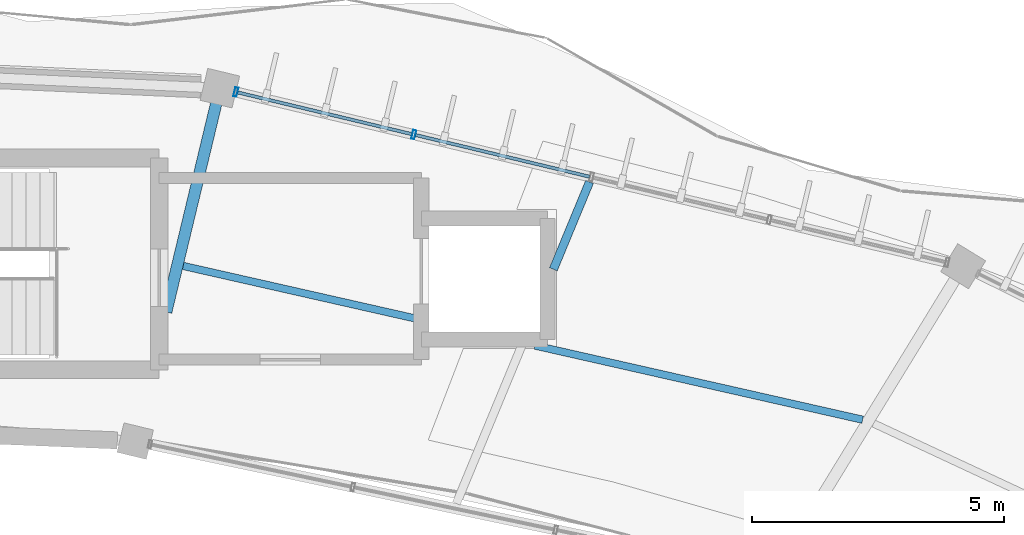
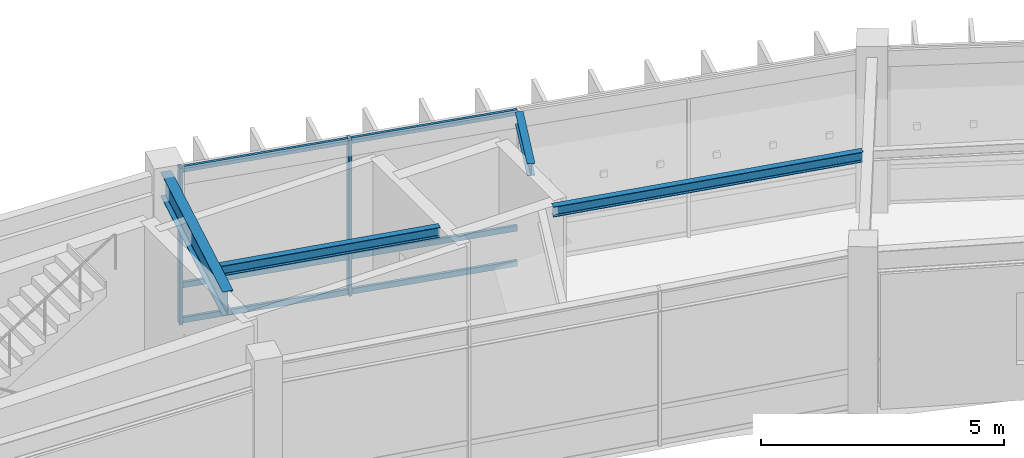
# One storey, part 67 of 114: 8 members, 4 beams, 1 element without a shape of its own.
"""IFC4 building model written with IfcOpenShell, lengths in metres."""

from ifc_helpers import new_model, si_unit, direction, frame, origin, origin_2d, place, context, subcontext, project, spatial, hollow_rectangle, i_section, extrude, material, material_profile, profile_set, type_object, element, aggregate, save


model = new_model("IFC4")

# Units and contexts
model_context = context("Model", 3, precision=1e-05, world=origin(), true_north=direction((0.0, 1.0)))
body_context = subcontext(model_context, "Body", "Model", "MODEL_VIEW")
ifc_project = project(units=[si_unit("LENGTHUNIT", "METRE"), si_unit("AREAUNIT", "SQUARE_METRE"), si_unit("VOLUMEUNIT", "CUBIC_METRE"), si_unit("PLANEANGLEUNIT", "RADIAN"), si_unit("MASSUNIT", "GRAM", prefix="KILO"), si_unit("THERMODYNAMICTEMPERATUREUNIT", "KELVIN"), si_unit("POWERUNIT", "WATT")], contexts=[model_context])

# Site, building, storey
site_placement = place(None, origin())
site = spatial("IfcSite", under=ifc_project, at=site_placement, CompositionType="ELEMENT")
building_placement = place(site_placement, origin())
building = spatial("IfcBuilding", under=site, at=building_placement, Name="Darbajah Civic Hall", CompositionType="ELEMENT")
storey_placement = place(building_placement, frame((0.0, 0.0, 13.800048828125)))
storey = spatial("IfcBuildingStorey", under=building, at=storey_placement, Name="L03", CompositionType="ELEMENT", Elevation=13.800048828125)

# Curtain wall, members
ifc_material_1 = material(Name="Anodised Bronze Aluminium and Low-E Glazing", Category="aluminium")
curtain_wall_type = type_object("IfcCurtainWallType", Name="Unitised Curtain Wall CW-40 14500x3900", PredefinedType="USERDEFINED", material=ifc_material_1)
curtain_wall_placement = place(storey_placement, origin())
curtain_wall = element("IfcCurtainWall", 1, at=curtain_wall_placement, inside=storey, type_object=curtain_wall_type, Name="L03 unitised curtain wall CW-V1O-L03-03", ObjectType="UNITISED CURTAIN WALL", PredefinedType="USERDEFINED")
ifc_material_2 = material(Name="Anodised Bronze Aluminium", Category="aluminium")
ifc_material_profile_1 = material_profile(ifc_material_2, hollow_rectangle(XDim=0.06494140625, YDim=0.179931640625, WallThickness=0.00390625, at=origin_2d()), Name="ALU MULLION 65x180")
ifc_profile_set_1 = profile_set([ifc_material_profile_1], Name="Anodised Bronze Aluminium")
member_type_1 = type_object("IfcMemberType", Name="ALU MULLION 65x180", PredefinedType="MULLION", material=ifc_profile_set_1)
member_1_placement = place(storey_placement, frame((104.85009765625, 117.563720703125, 0.0), z_axis=(0.0, 0.0, 1.0), x_axis=(-0.972492018808, 0.232936200179, 0.0)))
member_1 = element("IfcMember", 2, at=member_1_placement, type_object=member_type_1, Name="CW-V1O-L03-03 mullion 4", PredefinedType="MULLION", context=body_context, shape_type="SweptSolid", body=[
    extrude(hollow_rectangle(XDim=0.06494140625, YDim=0.179931640625, WallThickness=0.00390625, at=origin_2d()), origin(), (0.0, 0.0, 1.0), 3.919921875),
])
member_2_placement = place(storey_placement, frame((101.32373046875, 118.40869140625, 0.0), z_axis=(0.0, 0.0, 1.0), x_axis=(-0.972492018808, 0.232936200179, 0.0)))
member_2 = element("IfcMember", 3, at=member_2_placement, type_object=member_type_1, Name="CW-V1O-L03-03 mullion 5", PredefinedType="MULLION", context=body_context, shape_type="SweptSolid", body=[
    extrude(hollow_rectangle(XDim=0.06494140625, YDim=0.179931640625, WallThickness=0.00390625, at=origin_2d()), origin(), (0.0, 0.0, 1.0), 3.919921875),
])
ifc_material_profile_2 = material_profile(ifc_material_2, hollow_rectangle(XDim=0.06494140625, YDim=0.139892578125, WallThickness=0.00341796875, at=origin_2d()), Name="ALU TRANSOM 65x140")
ifc_profile_set_2 = profile_set([ifc_material_profile_2], Name="Anodised Bronze Aluminium")
member_type_2 = type_object("IfcMemberType", Name="ALU TRANSOM 65x140", PredefinedType="USERDEFINED", material=ifc_profile_set_2)
member_3_placement = place(storey_placement, frame((108.340087890625, 116.7275390625, 0.070068359375), z_axis=(-0.972462137945, 0.23306091535, 0.0), x_axis=(-0.23306091535, -0.972462137945, 0.0)))
member_3 = element("IfcMember", 4, at=member_3_placement, type_object=member_type_2, Name="CW-V1O-L03-03 transom 3.1", ObjectType="TRANSOM", PredefinedType="USERDEFINED", context=body_context, shape_type="SweptSolid", body=[
    extrude(hollow_rectangle(XDim=0.06494140625, YDim=0.139892578125, WallThickness=0.00341796875, at=origin_2d()), origin(), (0.0, 0.0, 1.0), 3.55126953125),
])
member_4_placement = place(storey_placement, frame((108.340087890625, 116.7275390625, 0.949951171875), z_axis=(-0.972462137945, 0.23306091535, 0.0), x_axis=(-0.23306091535, -0.972462137945, 0.0)))
member_4 = element("IfcMember", 5, at=member_4_placement, type_object=member_type_2, Name="CW-V1O-L03-03 transom 3.2", ObjectType="TRANSOM", PredefinedType="USERDEFINED", context=body_context, shape_type="SweptSolid", body=[
    extrude(hollow_rectangle(XDim=0.06494140625, YDim=0.139892578125, WallThickness=0.00341796875, at=origin_2d()), origin(), (0.0, 0.0, 1.0), 3.55126953125),
])
member_5_placement = place(storey_placement, frame((108.340087890625, 116.7275390625, 3.849853515625), z_axis=(-0.972462137945, 0.23306091535, 0.0), x_axis=(-0.23306091535, -0.972462137945, 0.0)))
member_5 = element("IfcMember", 6, at=member_5_placement, type_object=member_type_2, Name="CW-V1O-L03-03 transom 3.3", ObjectType="TRANSOM", PredefinedType="USERDEFINED", context=body_context, shape_type="SweptSolid", body=[
    extrude(hollow_rectangle(XDim=0.06494140625, YDim=0.139892578125, WallThickness=0.00341796875, at=origin_2d()), origin(), (0.0, 0.0, 1.0), 3.55126953125),
])
member_6_placement = place(storey_placement, frame((104.813720703125, 117.572509765625, 0.070068359375), z_axis=(-0.972481449513, 0.232980321815, 0.0), x_axis=(-0.232980321815, -0.972481449513, 0.0)))
member_6 = element("IfcMember", 7, at=member_6_placement, type_object=member_type_2, Name="CW-V1O-L03-03 transom 4.1", ObjectType="TRANSOM", PredefinedType="USERDEFINED", context=body_context, shape_type="SweptSolid", body=[
    extrude(hollow_rectangle(XDim=0.06494140625, YDim=0.139892578125, WallThickness=0.00341796875, at=origin_2d()), origin(), (0.0, 0.0, 1.0), 3.55126953125),
])
member_7_placement = place(storey_placement, frame((104.813720703125, 117.572509765625, 0.949951171875), z_axis=(-0.972481449513, 0.232980321815, 0.0), x_axis=(-0.232980321815, -0.972481449513, 0.0)))
member_7 = element("IfcMember", 8, at=member_7_placement, type_object=member_type_2, Name="CW-V1O-L03-03 transom 4.2", ObjectType="TRANSOM", PredefinedType="USERDEFINED", context=body_context, shape_type="SweptSolid", body=[
    extrude(hollow_rectangle(XDim=0.06494140625, YDim=0.139892578125, WallThickness=0.00341796875, at=origin_2d()), origin(), (0.0, 0.0, 1.0), 3.55126953125),
])
member_8_placement = place(storey_placement, frame((104.813720703125, 117.572509765625, 3.849853515625), z_axis=(-0.972481449513, 0.232980321815, 0.0), x_axis=(-0.232980321815, -0.972481449513, 0.0)))
member_8 = element("IfcMember", 9, at=member_8_placement, type_object=member_type_2, Name="CW-V1O-L03-03 transom 4.3", ObjectType="TRANSOM", PredefinedType="USERDEFINED", context=body_context, shape_type="SweptSolid", body=[
    extrude(hollow_rectangle(XDim=0.06494140625, YDim=0.139892578125, WallThickness=0.00341796875, at=origin_2d()), origin(), (0.0, 0.0, 1.0), 3.55126953125),
])
aggregate(curtain_wall, [member_1, member_2, member_3, member_4, member_5, member_6, member_7, member_8])

# Beams
ifc_material_3 = material(Name="Steel S355JR", Category="steel")
ifc_material_profile_3 = material_profile(ifc_material_3, i_section(OverallWidth=0.146484375, OverallDepth=0.256103515625, WebThickness=0.00634765625, FlangeThickness=0.010986328125, FilletRadius=0.007568359375, at=origin_2d()), Name="UB 254x146x37")
ifc_profile_set_3 = profile_set([ifc_material_profile_3], Name="Steel S355JR")
beam_type_1 = type_object("IfcBeamType", Name="UB 254x146x37", PredefinedType="JOIST", material=ifc_profile_set_3)
beam_1_placement = place(storey_placement, frame((113.75341796875, 111.908935546875, 3.7919921875), z_axis=(-0.975333988731, 0.220734252953, 0.0), x_axis=(-0.220734252953, -0.975333988731, 0.0)))
element("IfcBeam", 10, at=beam_1_placement, inside=storey, type_object=beam_type_1, Name="L03 beam SJ-254", PredefinedType="JOIST", context=body_context, shape_type="SweptSolid", body=[
    extrude(i_section(OverallWidth=0.146484375, OverallDepth=0.256103515625, WebThickness=0.00634765625, FlangeThickness=0.010986328125, FilletRadius=0.007568359375, at=origin_2d()), origin(), (0.0, 0.0, 1.0), 6.663818359375),
])
beam_2_placement = place(storey_placement, frame((104.8798828125, 113.917236328125, 3.7919921875), z_axis=(-0.97532969835, 0.220753209527, 0.0), x_axis=(-0.220753209527, -0.97532969835, 0.0)))
element("IfcBeam", 11, at=beam_2_placement, inside=storey, type_object=beam_type_1, Name="L03 beam SJ-254", PredefinedType="JOIST", context=body_context, shape_type="SweptSolid", body=[
    extrude(i_section(OverallWidth=0.146484375, OverallDepth=0.256103515625, WebThickness=0.00634765625, FlangeThickness=0.010986328125, FilletRadius=0.007568359375, at=origin_2d()), origin(), (0.0, 0.0, 1.0), 4.718017578125),
])
ifc_material_profile_4 = material_profile(ifc_material_3, i_section(OverallWidth=0.165771484375, OverallDepth=0.306640625, WebThickness=0.006591796875, FlangeThickness=0.01171875, FilletRadius=0.0087890625, at=origin_2d()), Name="UB 305x165x46")
ifc_profile_set_4 = profile_set([ifc_material_profile_4], Name="Steel S355JR")
beam_type_2 = type_object("IfcBeamType", Name="UB 305x165x46", PredefinedType="JOIST", material=ifc_profile_set_4)
beam_3_placement = place(storey_placement, frame((107.6201171875, 114.892578125, 3.7666015625), z_axis=(0.382589483091, 0.923918441978, 0.0), x_axis=(-0.923918441978, 0.382589483091, 0.0)))
element("IfcBeam", 12, at=beam_3_placement, inside=storey, type_object=beam_type_2, Name="L03 beam SJ-305", PredefinedType="JOIST", context=body_context, shape_type="SweptSolid", body=[
    extrude(i_section(OverallWidth=0.165771484375, OverallDepth=0.306640625, WebThickness=0.006591796875, FlangeThickness=0.01171875, FilletRadius=0.0087890625, at=origin_2d()), origin(), (0.0, 0.0, 1.0), 1.874755859375),
])
ifc_material_profile_5 = material_profile(ifc_material_3, i_section(OverallWidth=0.228271484375, OverallDepth=0.607666015625, WebThickness=0.010986328125, FlangeThickness=0.017333984375, FilletRadius=0.0126953125, at=origin_2d()), Name="UB 610x229x113")
ifc_profile_set_5 = profile_set([ifc_material_profile_5], Name="Steel S355JR")
beam_type_3 = type_object("IfcBeamType", Name="UB 610x229x113", PredefinedType="BEAM", material=ifc_profile_set_5)
beam_4_placement = place(storey_placement, frame((99.93994140625, 114.0458984375, 3.6162109375), z_axis=(0.233469714674, 0.972364073961, 0.0), x_axis=(-0.972364073961, 0.233469714674, 0.0)))
element("IfcBeam", 13, at=beam_4_placement, inside=storey, type_object=beam_type_3, Name="L03 beam SB-610", PredefinedType="BEAM", context=body_context, shape_type="SweptSolid", body=[
    extrude(i_section(OverallWidth=0.228271484375, OverallDepth=0.607666015625, WebThickness=0.010986328125, FlangeThickness=0.017333984375, FilletRadius=0.0126953125, at=origin_2d()), origin(), (0.0, 0.0, 1.0), 4.485107421875),
])

save(model, "model.ifc")
